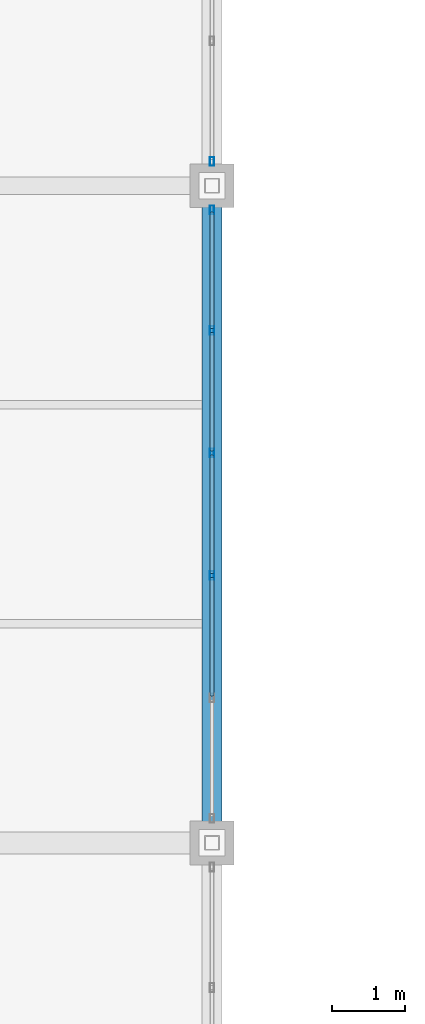
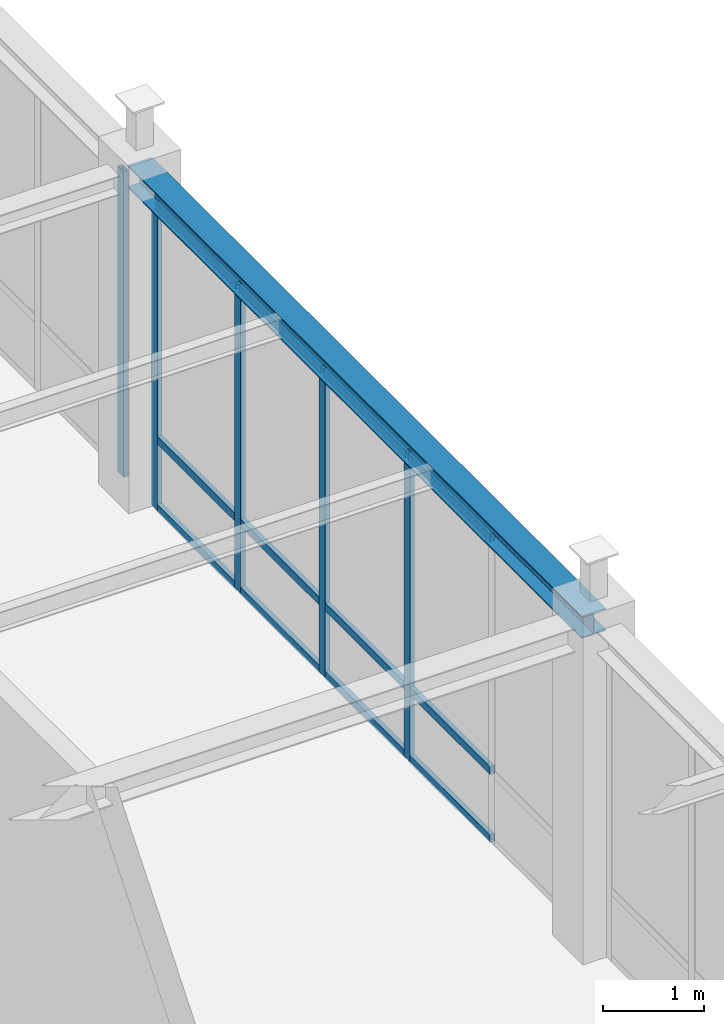
# One storey, part 54 of 97: 17 members, 1 beam, 2 elements without a shape of their own.
"""IFC4 building model written with IfcOpenShell, lengths in metres."""

from ifc_helpers import new_model, si_unit, direction, frame, origin, origin_2d, place, context, subcontext, project, spatial, hollow_rectangle, i_section, extrude, material, material_profile, profile_set, type_object, element, aggregate, save


model = new_model("IFC4")

# Units and contexts
model_context = context("Model", 3, precision=1e-05, world=origin(), true_north=direction((0.0, 1.0)))
body_context = subcontext(model_context, "Body", "Model", "MODEL_VIEW")
ifc_project = project(units=[si_unit("LENGTHUNIT", "METRE"), si_unit("AREAUNIT", "SQUARE_METRE"), si_unit("VOLUMEUNIT", "CUBIC_METRE"), si_unit("PLANEANGLEUNIT", "RADIAN"), si_unit("MASSUNIT", "GRAM", prefix="KILO")], contexts=[model_context])

# Site, building, storey
site_placement = place(None, origin())
site = spatial("IfcSite", under=ifc_project, at=site_placement, CompositionType="ELEMENT")
building_placement = place(site_placement, origin())
building = spatial("IfcBuilding", under=site, at=building_placement, Name="Lykobir Media Centre", CompositionType="ELEMENT")
storey_placement = place(building_placement, frame((0.0, 0.0, 23.39990234375)))
storey = spatial("IfcBuildingStorey", under=building, at=storey_placement, Name="L05", CompositionType="ELEMENT", Elevation=23.39990234375)

# Beam
ifc_material_1 = material(Name="Steel S355", Category="steel")
ifc_material_profile_1 = material_profile(ifc_material_1, i_section(OverallWidth=0.280029296875, OverallDepth=0.27001953125, WebThickness=0.008056640625, FlangeThickness=0.012939453125, at=origin_2d()), Name="HEA 280")
ifc_profile_set_1 = profile_set([ifc_material_profile_1], Name="Steel S355")
beam_type = type_object("IfcBeamType", Name="BM-HEA280", PredefinedType="BEAM", material=ifc_profile_set_1)
beam_placement = place(storey_placement, frame((99.0, 54.0, 3.84521484375), z_axis=(0.0, 1.0, 0.0), x_axis=(-1.0, 0.0, 0.0)))
element("IfcBeam", 1, at=beam_placement, inside=storey, type_object=beam_type, Name="Beam BM-L05-0990-0540-0990-0630-2724", PredefinedType="BEAM", context=body_context, shape_type="SweptSolid", body=[
    extrude(i_section(OverallWidth=0.280029296875, OverallDepth=0.27001953125, WebThickness=0.008056640625, FlangeThickness=0.012939453125, at=origin_2d()), origin(), (0.0, 0.0, 1.0), 9.0),
])

# Curtain wall, members
ifc_material_2 = material(Name="Anodized Aluminium AW-6060", Category="aluminium")
curtain_wall_type = type_object("IfcCurtainWallType", Name="CW-COURT-B", PredefinedType="NOTDEFINED", material=ifc_material_2)
curtain_wall_1_placement = place(storey_placement, origin())
curtain_wall_1 = element("IfcCurtainWall", 2, at=curtain_wall_1_placement, inside=storey, type_object=curtain_wall_type, Name="Curtain wall CW2-L05-0185", PredefinedType="NOTDEFINED")
ifc_material_profile_2 = material_profile(ifc_material_2, hollow_rectangle(XDim=0.054931640625, YDim=0.1201171875, WallThickness=0.003173828125, at=origin_2d()), Name="ALU MULLION 55x120")
ifc_profile_set_2 = profile_set([ifc_material_profile_2], Name="Anodized Aluminium AW-6060")
member_type_1 = type_object("IfcMemberType", Name="CWM-120", PredefinedType="MULLION", material=ifc_profile_set_2)
member_1_placement = place(storey_placement, frame((99.0, 62.66748046875, 0.0), z_axis=(0.0, 0.0, 1.0), x_axis=(1.0, 0.0, 0.0)))
member_1 = element("IfcMember", 3, at=member_1_placement, type_object=member_type_1, Name="CW2-L05-0185 mullion 1", PredefinedType="MULLION", context=body_context, shape_type="SweptSolid", body=[
    extrude(hollow_rectangle(XDim=0.054931640625, YDim=0.1201171875, WallThickness=0.003173828125, at=origin_2d()), origin(), (0.0, 0.0, 1.0), 3.695068359375),
])
member_2_placement = place(storey_placement, frame((99.0, 61.01708984375, 0.0), z_axis=(0.0, 0.0, 1.0), x_axis=(1.0, 0.0, 0.0)))
member_2 = element("IfcMember", 4, at=member_2_placement, type_object=member_type_1, Name="CW2-L05-0185 mullion 2", PredefinedType="MULLION", context=body_context, shape_type="SweptSolid", body=[
    extrude(hollow_rectangle(XDim=0.054931640625, YDim=0.1201171875, WallThickness=0.003173828125, at=origin_2d()), origin(), (0.0, 0.0, 1.0), 3.695068359375),
])
member_3_placement = place(storey_placement, frame((99.0, 59.339111328125, 0.0), z_axis=(0.0, 0.0, 1.0), x_axis=(1.0, 0.0, 0.0)))
member_3 = element("IfcMember", 5, at=member_3_placement, type_object=member_type_1, Name="CW2-L05-0185 mullion 3", PredefinedType="MULLION", context=body_context, shape_type="SweptSolid", body=[
    extrude(hollow_rectangle(XDim=0.054931640625, YDim=0.1201171875, WallThickness=0.003173828125, at=origin_2d()), origin(), (0.0, 0.0, 1.0), 3.695068359375),
])
member_4_placement = place(storey_placement, frame((99.0, 57.660888671875, 0.0), z_axis=(0.0, 0.0, 1.0), x_axis=(1.0, 0.0, 0.0)))
member_4 = element("IfcMember", 6, at=member_4_placement, type_object=member_type_1, Name="CW2-L05-0185 mullion 4", PredefinedType="MULLION", context=body_context, shape_type="SweptSolid", body=[
    extrude(hollow_rectangle(XDim=0.054931640625, YDim=0.1201171875, WallThickness=0.003173828125, at=origin_2d()), origin(), (0.0, 0.0, 1.0), 3.695068359375),
])

# Curtain wall, member
curtain_wall_2_placement = place(storey_placement, origin())
curtain_wall_2 = element("IfcCurtainWall", 7, at=curtain_wall_2_placement, inside=storey, type_object=curtain_wall_type, Name="Curtain wall CW2-L05-0186", PredefinedType="NOTDEFINED")
member_5_placement = place(storey_placement, frame((99.0, 63.33251953125, 0.0), z_axis=(0.0, 0.0, 1.0), x_axis=(1.0, 0.0, 0.0)))
member_5 = element("IfcMember", 8, at=member_5_placement, type_object=member_type_1, Name="CW2-L05-0186 mullion 6", PredefinedType="MULLION", context=body_context, shape_type="SweptSolid", body=[
    extrude(hollow_rectangle(XDim=0.054931640625, YDim=0.1201171875, WallThickness=0.003173828125, at=origin_2d()), origin(), (0.0, 0.0, 1.0), 3.695068359375),
])
aggregate(curtain_wall_2, [member_5])

# Member
ifc_material_profile_3 = material_profile(ifc_material_2, hollow_rectangle(XDim=0.054931640625, YDim=0.094970703125, WallThickness=0.0029296875, at=origin_2d()), Name="ALU TRANSOM 55x95")
ifc_profile_set_3 = profile_set([ifc_material_profile_3], Name="Anodized Aluminium AW-6060")
member_type_2 = type_object("IfcMemberType", Name="CWT-095", PredefinedType="USERDEFINED", material=ifc_profile_set_3)
member_6_placement = place(storey_placement, frame((99.0, 62.639892578125, 0.027587890625), z_axis=(0.0, -1.0, 0.0), x_axis=(1.0, 0.0, 0.0)))
member_6 = element("IfcMember", 9, at=member_6_placement, type_object=member_type_2, Name="CW2-L05-0185 transom 1.1", ObjectType="TRANSOM", PredefinedType="USERDEFINED", context=body_context, shape_type="SweptSolid", body=[
    extrude(hollow_rectangle(XDim=0.054931640625, YDim=0.094970703125, WallThickness=0.0029296875, at=origin_2d()), origin(), (0.0, 0.0, 1.0), 1.595458984375),
])

member_7_placement = place(storey_placement, frame((99.0, 62.639892578125, 0.85009765625), z_axis=(0.0, -1.0, 0.0), x_axis=(1.0, 0.0, 0.0)))
member_7 = element("IfcMember", 10, at=member_7_placement, type_object=member_type_2, Name="CW2-L05-0185 transom 1.2", ObjectType="TRANSOM", PredefinedType="USERDEFINED", context=body_context, shape_type="SweptSolid", body=[
    extrude(hollow_rectangle(XDim=0.054931640625, YDim=0.094970703125, WallThickness=0.0029296875, at=origin_2d()), origin(), (0.0, 0.0, 1.0), 1.595458984375),
])

member_8_placement = place(storey_placement, frame((99.0, 62.639892578125, 3.66748046875), z_axis=(0.0, -1.0, 0.0), x_axis=(1.0, 0.0, 0.0)))
member_8 = element("IfcMember", 11, at=member_8_placement, type_object=member_type_2, Name="CW2-L05-0185 transom 1.3", ObjectType="TRANSOM", PredefinedType="USERDEFINED", context=body_context, shape_type="SweptSolid", body=[
    extrude(hollow_rectangle(XDim=0.054931640625, YDim=0.094970703125, WallThickness=0.0029296875, at=origin_2d()), origin(), (0.0, 0.0, 1.0), 1.595458984375),
])

member_9_placement = place(storey_placement, frame((99.0, 60.989501953125, 0.027587890625), z_axis=(0.0, -1.0, 0.0), x_axis=(1.0, 0.0, 0.0)))
member_9 = element("IfcMember", 12, at=member_9_placement, type_object=member_type_2, Name="CW2-L05-0185 transom 2.1", ObjectType="TRANSOM", PredefinedType="USERDEFINED", context=body_context, shape_type="SweptSolid", body=[
    extrude(hollow_rectangle(XDim=0.054931640625, YDim=0.094970703125, WallThickness=0.0029296875, at=origin_2d()), origin(), (0.0, 0.0, 1.0), 1.623046875),
])

member_10_placement = place(storey_placement, frame((99.0, 60.989501953125, 0.85009765625), z_axis=(0.0, -1.0, 0.0), x_axis=(1.0, 0.0, 0.0)))
member_10 = element("IfcMember", 13, at=member_10_placement, type_object=member_type_2, Name="CW2-L05-0185 transom 2.2", ObjectType="TRANSOM", PredefinedType="USERDEFINED", context=body_context, shape_type="SweptSolid", body=[
    extrude(hollow_rectangle(XDim=0.054931640625, YDim=0.094970703125, WallThickness=0.0029296875, at=origin_2d()), origin(), (0.0, 0.0, 1.0), 1.623046875),
])

member_11_placement = place(storey_placement, frame((99.0, 60.989501953125, 3.66748046875), z_axis=(0.0, -1.0, 0.0), x_axis=(1.0, 0.0, 0.0)))
member_11 = element("IfcMember", 14, at=member_11_placement, type_object=member_type_2, Name="CW2-L05-0185 transom 2.3", ObjectType="TRANSOM", PredefinedType="USERDEFINED", context=body_context, shape_type="SweptSolid", body=[
    extrude(hollow_rectangle(XDim=0.054931640625, YDim=0.094970703125, WallThickness=0.0029296875, at=origin_2d()), origin(), (0.0, 0.0, 1.0), 1.623046875),
])

member_12_placement = place(storey_placement, frame((99.0, 59.3115234375, 0.027587890625), z_axis=(0.0, -1.0, 0.0), x_axis=(1.0, 0.0, 0.0)))
member_12 = element("IfcMember", 15, at=member_12_placement, type_object=member_type_2, Name="CW2-L05-0185 transom 3.1", ObjectType="TRANSOM", PredefinedType="USERDEFINED", context=body_context, shape_type="SweptSolid", body=[
    extrude(hollow_rectangle(XDim=0.054931640625, YDim=0.094970703125, WallThickness=0.0029296875, at=origin_2d()), origin(), (0.0, 0.0, 1.0), 1.623046875),
])

member_13_placement = place(storey_placement, frame((99.0, 59.3115234375, 0.85009765625), z_axis=(0.0, -1.0, 0.0), x_axis=(1.0, 0.0, 0.0)))
member_13 = element("IfcMember", 16, at=member_13_placement, type_object=member_type_2, Name="CW2-L05-0185 transom 3.2", ObjectType="TRANSOM", PredefinedType="USERDEFINED", context=body_context, shape_type="SweptSolid", body=[
    extrude(hollow_rectangle(XDim=0.054931640625, YDim=0.094970703125, WallThickness=0.0029296875, at=origin_2d()), origin(), (0.0, 0.0, 1.0), 1.623046875),
])

member_14_placement = place(storey_placement, frame((99.0, 59.3115234375, 3.66748046875), z_axis=(0.0, -1.0, 0.0), x_axis=(1.0, 0.0, 0.0)))
member_14 = element("IfcMember", 17, at=member_14_placement, type_object=member_type_2, Name="CW2-L05-0185 transom 3.3", ObjectType="TRANSOM", PredefinedType="USERDEFINED", context=body_context, shape_type="SweptSolid", body=[
    extrude(hollow_rectangle(XDim=0.054931640625, YDim=0.094970703125, WallThickness=0.0029296875, at=origin_2d()), origin(), (0.0, 0.0, 1.0), 1.623046875),
])

member_15_placement = place(storey_placement, frame((99.0, 57.633544921875, 0.027587890625), z_axis=(0.0, -1.0, 0.0), x_axis=(1.0, 0.0, 0.0)))
member_15 = element("IfcMember", 18, at=member_15_placement, type_object=member_type_2, Name="CW2-L05-0185 transom 4.1", ObjectType="TRANSOM", PredefinedType="USERDEFINED", context=body_context, shape_type="SweptSolid", body=[
    extrude(hollow_rectangle(XDim=0.054931640625, YDim=0.094970703125, WallThickness=0.0029296875, at=origin_2d()), origin(), (0.0, 0.0, 1.0), 1.623046875),
])

member_16_placement = place(storey_placement, frame((99.0, 57.633544921875, 0.85009765625), z_axis=(0.0, -1.0, 0.0), x_axis=(1.0, 0.0, 0.0)))
member_16 = element("IfcMember", 19, at=member_16_placement, type_object=member_type_2, Name="CW2-L05-0185 transom 4.2", ObjectType="TRANSOM", PredefinedType="USERDEFINED", context=body_context, shape_type="SweptSolid", body=[
    extrude(hollow_rectangle(XDim=0.054931640625, YDim=0.094970703125, WallThickness=0.0029296875, at=origin_2d()), origin(), (0.0, 0.0, 1.0), 1.623046875),
])

member_17_placement = place(storey_placement, frame((99.0, 57.633544921875, 3.66748046875), z_axis=(0.0, -1.0, 0.0), x_axis=(1.0, 0.0, 0.0)))
member_17 = element("IfcMember", 20, at=member_17_placement, type_object=member_type_2, Name="CW2-L05-0185 transom 4.3", ObjectType="TRANSOM", PredefinedType="USERDEFINED", context=body_context, shape_type="SweptSolid", body=[
    extrude(hollow_rectangle(XDim=0.054931640625, YDim=0.094970703125, WallThickness=0.0029296875, at=origin_2d()), origin(), (0.0, 0.0, 1.0), 1.623046875),
])

aggregate(curtain_wall_1, [member_1, member_2, member_3, member_4, member_6, member_7, member_8, member_9, member_10, member_11, member_12, member_13, member_14, member_15, member_16, member_17])

save(model, "model.ifc")
